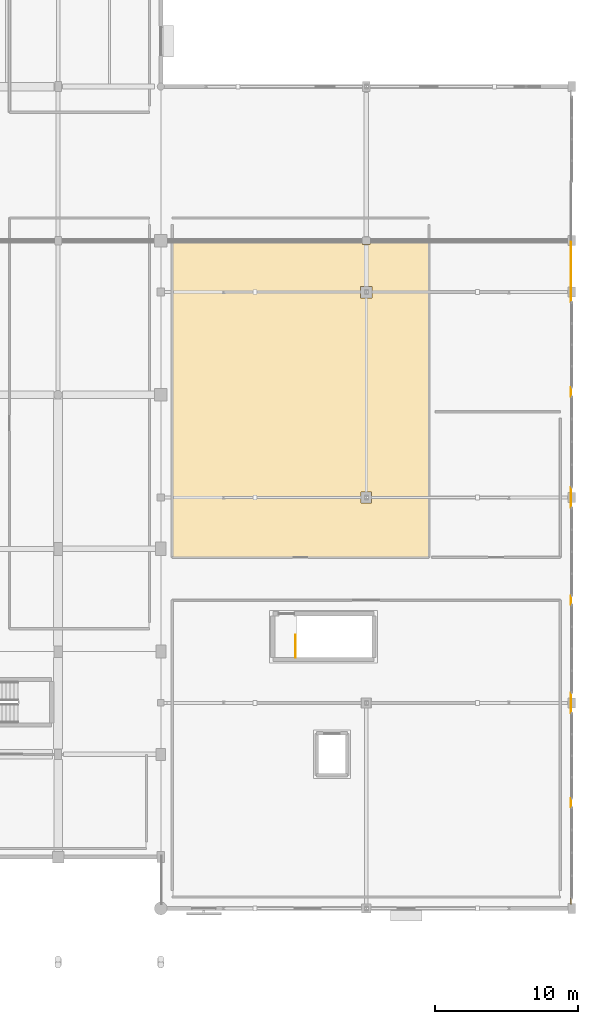
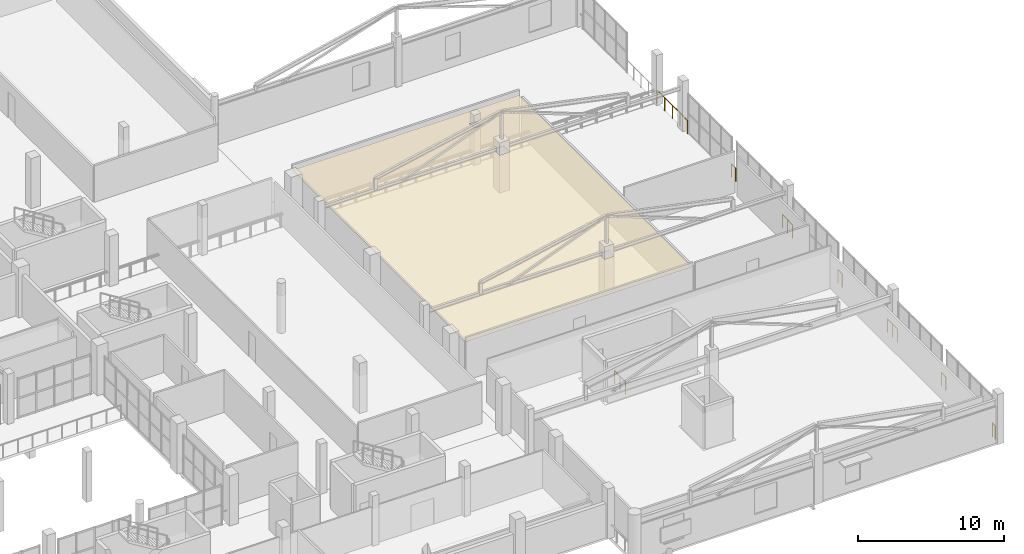
# One storey, part 90 of 92: 8 railings, 1 covering.
"""IFC4 building model written with IfcOpenShell, lengths in metres."""

import ifcopenshell
import ifcopenshell.guid

model = None  # the IFC model being written
_history = None  # IfcOwnerHistory: only IFC2X3 demands one
_inside = {}  # id of a spatial element -> (the spatial element, [elements in it])
_under = {}  # id of a project, library or spatial element -> (it, [spatial elements below it])
_declared = {}  # id of a project -> (the project, [libraries it declares])
_typed = {}  # id of a type object -> (the type object, [elements of that type])
_made_of = {}  # id of a material, layer set ... -> (it, [elements and type objects made of it])


def new_model(schema):
    """Start an empty IFC model of exactly this schema.

    Asked for "IFC4X3", IfcOpenShell would pick the latest addendum, in which some entities
    have other attributes; the version numbers below select the first issue.
    IFC2X3 requires an IfcOwnerHistory on every rooted entity: one is made here for all.
    """
    global model, _history
    if schema == "IFC4X3":
        model = ifcopenshell.file(schema_version=(4, 3, 0, 0))
    else:
        model = ifcopenshell.file(schema=schema)
    _inside.clear()
    _under.clear()
    _declared.clear()
    _typed.clear()
    _made_of.clear()
    _history = None
    if model.schema == "IFC2X3":
        org = make("IfcOrganization", Name="unknown")
        user = make(
            "IfcPersonAndOrganization",
            ThePerson=make("IfcPerson", FamilyName="unknown"),
            TheOrganization=org,
        )
        app = make(
            "IfcApplication",
            ApplicationDeveloper=org,
            Version="unknown",
            ApplicationFullName="unknown",
            ApplicationIdentifier="unknown",
        )
        _history = make(
            "IfcOwnerHistory",
            OwningUser=user,
            OwningApplication=app,
            ChangeAction="ADDED",
            CreationDate=0,
        )
    return model


def make(cls, **values):
    """One entity of the class cls with the attributes given. An attribute that is None is left unset."""
    return model.create_entity(
        cls, **{name: value for name, value in values.items() if value is not None}
    )


def rooted(cls, **values):
    """An entity with a GlobalId (a new one), such as an element, a storey or a relation."""
    return make(cls, GlobalId=ifcopenshell.guid.new(), OwnerHistory=_history, **values)


def si_unit(unit_type, name, prefix=None):
    """IfcSIUnit, for example si_unit("LENGTHUNIT", "METRE", prefix="MILLI")."""
    return make("IfcSIUnit", UnitType=unit_type, Prefix=prefix, Name=name)


def assignment(units):
    """IfcUnitAssignment: the units of a project."""
    return None if units is None else make("IfcUnitAssignment", Units=units)


def point(xyz):
    """IfcCartesianPoint."""
    return None if xyz is None else make("IfcCartesianPoint", Coordinates=xyz)


def direction(xyz):
    """IfcDirection."""
    return None if xyz is None else make("IfcDirection", DirectionRatios=xyz)


def frame(location, z_axis=None, x_axis=None):
    """IfcAxis2Placement3D, a coordinate frame: its origin and axes. An axis left out is left unset."""
    return make(
        "IfcAxis2Placement3D",
        Location=point(location),
        Axis=direction(z_axis),
        RefDirection=direction(x_axis),
    )


def frame_2d(location, x_axis=None):
    """IfcAxis2Placement2D, a coordinate frame in the plane: its origin and x axis."""
    return make(
        "IfcAxis2Placement2D", Location=point(location), RefDirection=direction(x_axis)
    )


def origin():
    """The frame at (0, 0, 0) with its axes left unset."""
    return frame((0.0, 0.0, 0.0))


def origin_2d():
    """The frame at (0, 0) in the plane with its x axis left unset."""
    return frame_2d((0.0, 0.0))


def place(relative_to, where):
    """IfcLocalPlacement: puts the frame where relative to a parent placement (None: the world)."""
    return make(
        "IfcLocalPlacement", PlacementRelTo=relative_to, RelativePlacement=where
    )


def context(
    kind, dimensions, precision=None, world=None, true_north=None, identifier=None
):
    """IfcGeometricRepresentationContext, for example the 3D "Model" context."""
    return make(
        "IfcGeometricRepresentationContext",
        ContextIdentifier=identifier,
        ContextType=kind,
        CoordinateSpaceDimension=dimensions,
        Precision=precision,
        WorldCoordinateSystem=world,
        TrueNorth=true_north,
    )


def subcontext(parent, identifier, kind, view, scale=None):
    """IfcGeometricRepresentationSubContext, for example "Body" below "Model"."""
    return make(
        "IfcGeometricRepresentationSubContext",
        ContextIdentifier=identifier,
        ContextType=kind,
        ParentContext=parent,
        TargetScale=scale,
        TargetView=view,
    )


def project(units=None, contexts=None):
    """IfcProject with its units and contexts."""
    return rooted(
        "IfcProject",
        Name="project",
        RepresentationContexts=contexts,
        UnitsInContext=assignment(units),
    )


def spatial(cls, under=None, at=None, **own):
    """A site, building, storey or space (cls), placed at a placement, below another one or the project."""
    s = rooted(cls, ObjectPlacement=at, **own)
    if under is not None:
        _under.setdefault(under.id(), (under, []))[1].append(s)
    return s


def polyline(points):
    """IfcPolyline through the points."""
    return make("IfcPolyline", Points=[point(p) for p in points])


def profile(cls, at=None, kind="AREA", **sizes):
    """A parametric profile (cls). Its sizes go by their IFC names, for example OverallWidth=200.0."""
    return make(cls, ProfileType=kind, Position=at, **sizes)


def circle(**sizes):
    """IfcCircleProfileDef."""
    return profile("IfcCircleProfileDef", **sizes)


def outline(outer, holes=None, kind="AREA"):
    """IfcArbitraryClosedProfileDef: a profile drawn as a closed curve; with holes, ...WithVoids."""
    if holes is None:
        return make("IfcArbitraryClosedProfileDef", ProfileType=kind, OuterCurve=outer)
    return make(
        "IfcArbitraryProfileDefWithVoids",
        ProfileType=kind,
        OuterCurve=outer,
        InnerCurves=holes,
    )


def extrude(swept, where, along, depth):
    """IfcExtrudedAreaSolid: the profile swept, set in the frame where, extruded along a direction by depth."""
    return make(
        "IfcExtrudedAreaSolid",
        SweptArea=swept,
        Position=where,
        ExtrudedDirection=direction(along),
        Depth=depth,
    )


def shape(context_of_items, identifier, shape_type, items):
    """IfcShapeRepresentation: the items that make up one representation, for example the "Body"."""
    return make(
        "IfcShapeRepresentation",
        ContextOfItems=context_of_items,
        RepresentationIdentifier=identifier,
        RepresentationType=shape_type,
        Items=items,
    )


def material(Name=None, Category=None):
    """IfcMaterial."""
    return make("IfcMaterial", Name=Name, Category=Category)


def layer(
    of_material, thickness, ventilated=None, Name=None, Category=None, Priority=None
):
    """IfcMaterialLayer: one layer of a wall or slab, of a material (None: an air gap)."""
    return make(
        "IfcMaterialLayer",
        Material=of_material,
        LayerThickness=thickness,
        IsVentilated=ventilated,
        Name=Name,
        Category=Category,
        Priority=Priority,
    )


def layer_set(layers, Name=None):
    """IfcMaterialLayerSet."""
    return make("IfcMaterialLayerSet", MaterialLayers=layers, LayerSetName=Name)


def made_of(thing, what):
    """Note that an element or type object is made of a material, layer set ...; save() writes the relation."""
    if what is not None:
        _made_of.setdefault(what.id(), (what, []))[1].append(thing)
    return thing


def type_object(cls, material=None, **own):
    """A type object (cls), such as IfcWallType, which elements share."""
    return made_of(rooted(cls, **own), material)


def element(
    cls,
    number,
    at=None,
    inside=None,
    cuts=None,
    type_object=None,
    material=None,
    context=None,
    identifier="Body",
    shape_type=None,
    held_by="IfcProductDefinitionShape",
    body=None,
    shapes=None,
    **own,
):
    """One element of the class cls, such as IfcWall. Its Tag is "e" and its number.

    at: its placement. inside: the storey or other place that contains it. cuts: it is an
    opening in that element (IfcRelVoidsElement). A single representation is given by context,
    identifier, shape_type and body (its items); several are given by shapes. held_by: the class
    of the entity that holds the representations. save() writes the other relations.
    """
    e = rooted(cls, Tag="e%d" % number, ObjectPlacement=at, **own)
    if body is not None:
        shapes = [shape(context, identifier, shape_type, body)]
    if shapes is not None:
        e.Representation = make(held_by, Representations=shapes)
    if inside is not None:
        _inside.setdefault(inside.id(), (inside, []))[1].append(e)
    if cuts is not None:
        rooted(
            "IfcRelVoidsElement", RelatingBuildingElement=cuts, RelatedOpeningElement=e
        )
    if type_object is not None:
        _typed.setdefault(type_object.id(), (type_object, []))[1].append(e)
    return made_of(e, material)


def aggregate(whole, parts):
    """IfcRelAggregates: a whole, such as a stair, and the parts it consists of."""
    return rooted("IfcRelAggregates", RelatingObject=whole, RelatedObjects=parts)


def save(model, path):
    """Write the relations noted so far, then the file.

    IfcRelAggregates (storeys below a building ...), IfcRelContainedInSpatialStructure (elements
    in a storey), IfcRelDefinesByType, IfcRelAssociatesMaterial and IfcRelDeclares: one each for
    every whole, place, type object, material and project.
    """
    for whole, parts in _under.values():
        aggregate(whole, parts)
    for where, things in _inside.values():
        rooted(
            "IfcRelContainedInSpatialStructure",
            RelatedElements=things,
            RelatingStructure=where,
        )
    for kind, things in _typed.values():
        rooted("IfcRelDefinesByType", RelatedObjects=things, RelatingType=kind)
    for what, things in _made_of.values():
        rooted("IfcRelAssociatesMaterial", RelatedObjects=things, RelatingMaterial=what)
    for by, libraries in _declared.values():
        rooted("IfcRelDeclares", RelatingContext=by, RelatedDefinitions=libraries)
    model.write(path)


model = new_model("IFC4")

# Units and contexts
model_context = context("Model", 3, precision=1e-05, world=origin(), true_north=direction((0.0, 1.0)))
body_context = subcontext(model_context, "Body", "Model", "MODEL_VIEW")
ifc_project = project(units=[si_unit("LENGTHUNIT", "METRE"), si_unit("AREAUNIT", "SQUARE_METRE"), si_unit("VOLUMEUNIT", "CUBIC_METRE"), si_unit("PLANEANGLEUNIT", "RADIAN"), si_unit("MASSUNIT", "GRAM", prefix="KILO")], contexts=[model_context])

# Site, building, storey
site_placement = place(None, origin())
site = spatial("IfcSite", under=ifc_project, at=site_placement, CompositionType="ELEMENT")
building_placement = place(site_placement, origin())
building = spatial("IfcBuilding", under=site, at=building_placement, Name="Solanera Park Tramway Depot", CompositionType="ELEMENT")
storey_placement = place(building_placement, frame((0.0, 0.0, 4.800048828125)))
storey = spatial("IfcBuildingStorey", under=building, at=storey_placement, Name="L01", CompositionType="ELEMENT", Elevation=4.800048828125)

# Covering
ifc_material_1 = material(Name="Acoustic perforated plasterboard and mineral-fibre ceiling")
ifc_layer_1 = layer(ifc_material_1, 0.02001953125)
ifc_layer_set_1 = layer_set([ifc_layer_1], Name="Acoustic perforated plasterboard and mineral-fibre ceiling")
covering_type = type_object("IfcCoveringType", Name="Acoustic Mineral-Fibre Ceiling 20", PredefinedType="CEILING", material=ifc_layer_set_1)
covering_placement = place(storey_placement, frame((0.0, 0.0, 3.14990234375)))
element("IfcCovering", 1, at=covering_placement, inside=storey, type_object=covering_type, Name="Tropical Transit Archive Reading Room Acoustic Ceiling", PredefinedType="CEILING", context=body_context, shape_type="SweptSolid", body=[
    extrude(outline(polyline([(205.9599609375, 55.56005859375), (205.9599609375, 31.840087890625), (188.0400390625, 31.840087890625), (188.0400390625, 55.56005859375), (205.9599609375, 55.56005859375)]), holes=[polyline([(201.221923828125, 36.3779296875), (201.221923828125, 35.6220703125), (201.97802734375, 35.6220703125), (201.97802734375, 36.3779296875), (201.221923828125, 36.3779296875)]), polyline([(202.0029296875, 50.802978515625), (201.197021484375, 50.802978515625), (201.197021484375, 49.9970703125), (202.0029296875, 49.9970703125), (202.0029296875, 50.802978515625)]), polyline([(201.8779296875, 53.721923828125), (201.8779296875, 54.278076171875), (201.322021484375, 54.278076171875), (201.322021484375, 53.721923828125), (201.8779296875, 53.721923828125)])]), origin(), (0.0, 0.0, 1.0), 0.02001953125),
])

# Railings
ifc_material_2 = material(Name="Powder-coated galvanised steel balustrade", Category="steel")
ifc_layer_2 = layer(ifc_material_2, 0.06005859375)
ifc_layer_set_2 = layer_set([ifc_layer_2], Name="Powder-coated galvanised steel balustrade")
railing_type_1 = type_object("IfcRailingType", Name="Classical Wrought-Style Balustrade 1120", PredefinedType="BALUSTRADE", material=ifc_layer_set_2)
railing_1_placement = place(storey_placement, frame((215.93994140625, 53.889892578125, 0.0)))
element("IfcRailing", 2, at=railing_1_placement, inside=storey, type_object=railing_type_1, Name="L01 Perimeter Deck Balustrade #016", PredefinedType="BALUSTRADE", context=body_context, shape_type="SweptSolid", body=[
    extrude(circle(Radius=0.02392578125, at=origin_2d()), frame((0.0, 0.0, 1.09619140625), z_axis=(0.0, -1.0, 0.0), x_axis=(1.0, 0.0, 0.0)), (0.0, 0.0, 1.0), 4.18994140625),
    extrude(circle(Radius=0.02099609375, at=origin_2d()), origin(), (0.0, 0.0, 1.0), 1.072021484375),
    extrude(circle(Radius=0.02099609375, at=origin_2d()), frame((0.0, -1.04736328125, 0.0)), (0.0, 0.0, 1.0), 1.072021484375),
    extrude(circle(Radius=0.02099609375, at=origin_2d()), frame((0.0, -2.094970703125, 0.0)), (0.0, 0.0, 1.0), 1.072021484375),
    extrude(circle(Radius=0.02099609375, at=origin_2d()), frame((0.0, -3.142578125, 0.0)), (0.0, 0.0, 1.0), 1.072021484375),
    extrude(circle(Radius=0.02099609375, at=origin_2d()), frame((0.0, -4.18994140625, 0.0)), (0.0, 0.0, 1.0), 1.072021484375),
])
railing_2_placement = place(storey_placement, frame((215.93994140625, 43.699951171875, 0.0)))
element("IfcRailing", 3, at=railing_2_placement, inside=storey, type_object=railing_type_1, Name="L01 Perimeter Deck Balustrade #017", PredefinedType="BALUSTRADE", context=body_context, shape_type="SweptSolid", body=[
    extrude(circle(Radius=0.02392578125, at=origin_2d()), frame((0.0, 0.0, 1.09619140625), z_axis=(0.0, -1.0, 0.0), x_axis=(1.0, 0.0, 0.0)), (0.0, 0.0, 1.0), 0.599853515625),
    extrude(circle(Radius=0.02099609375, at=origin_2d()), origin(), (0.0, 0.0, 1.0), 1.072021484375),
    extrude(circle(Radius=0.02099609375, at=origin_2d()), frame((0.0, -0.599853515625, 0.0)), (0.0, 0.0, 1.0), 1.072021484375),
])
railing_3_placement = place(storey_placement, frame((215.93994140625, 36.699951171875, 0.0)))
element("IfcRailing", 4, at=railing_3_placement, inside=storey, type_object=railing_type_1, Name="L01 Perimeter Deck Balustrade #018", PredefinedType="BALUSTRADE", context=body_context, shape_type="SweptSolid", body=[
    extrude(circle(Radius=0.02392578125, at=origin_2d()), frame((0.0, 0.0, 1.09619140625), z_axis=(0.0, -1.0, 0.0), x_axis=(1.0, 0.0, 0.0)), (0.0, 0.0, 1.0), 1.39990234375),
    extrude(circle(Radius=0.02099609375, at=origin_2d()), origin(), (0.0, 0.0, 1.0), 1.072021484375),
    extrude(circle(Radius=0.02099609375, at=origin_2d()), frame((0.0, -0.699951171875, 0.0)), (0.0, 0.0, 1.0), 1.072021484375),
    extrude(circle(Radius=0.02099609375, at=origin_2d()), frame((0.0, -1.39990234375, 0.0)), (0.0, 0.0, 1.0), 1.072021484375),
])
railing_4_placement = place(storey_placement, frame((215.93994140625, 29.10009765625, 0.0)))
element("IfcRailing", 5, at=railing_4_placement, inside=storey, type_object=railing_type_1, Name="L01 Perimeter Deck Balustrade #019", PredefinedType="BALUSTRADE", context=body_context, shape_type="SweptSolid", body=[
    extrude(circle(Radius=0.02392578125, at=origin_2d()), frame((0.0, 0.0, 1.09619140625), z_axis=(0.0, -1.0, 0.0), x_axis=(1.0, 0.0, 0.0)), (0.0, 0.0, 1.0), 0.60009765625),
    extrude(circle(Radius=0.02099609375, at=origin_2d()), origin(), (0.0, 0.0, 1.0), 1.072021484375),
    extrude(circle(Radius=0.02099609375, at=origin_2d()), frame((0.0, -0.60009765625, 0.0)), (0.0, 0.0, 1.0), 1.072021484375),
])
railing_5_placement = place(storey_placement, frame((215.93994140625, 22.300048828125, 0.0)))
element("IfcRailing", 6, at=railing_5_placement, inside=storey, type_object=railing_type_1, Name="L01 Perimeter Deck Balustrade #020", PredefinedType="BALUSTRADE", context=body_context, shape_type="SweptSolid", body=[
    extrude(circle(Radius=0.02392578125, at=origin_2d()), frame((0.0, 0.0, 1.09619140625), z_axis=(0.0, -1.0, 0.0), x_axis=(1.0, 0.0, 0.0)), (0.0, 0.0, 1.0), 1.400146484375),
    extrude(circle(Radius=0.02099609375, at=origin_2d()), origin(), (0.0, 0.0, 1.0), 1.072021484375),
    extrude(circle(Radius=0.02099609375, at=origin_2d()), frame((0.0, -0.7001953125, 0.0)), (0.0, 0.0, 1.0), 1.072021484375),
    extrude(circle(Radius=0.02099609375, at=origin_2d()), frame((0.0, -1.400146484375, 0.0)), (0.0, 0.0, 1.0), 1.072021484375),
])
railing_6_placement = place(storey_placement, frame((215.93994140625, 14.89990234375, 0.0)))
element("IfcRailing", 7, at=railing_6_placement, inside=storey, type_object=railing_type_1, Name="L01 Perimeter Deck Balustrade #021", PredefinedType="BALUSTRADE", context=body_context, shape_type="SweptSolid", body=[
    extrude(circle(Radius=0.02392578125, at=origin_2d()), frame((0.0, 0.0, 1.09619140625), z_axis=(0.0, -1.0, 0.0), x_axis=(1.0, 0.0, 0.0)), (0.0, 0.0, 1.0), 0.599853515625),
    extrude(circle(Radius=0.02099609375, at=origin_2d()), origin(), (0.0, 0.0, 1.0), 1.072021484375),
    extrude(circle(Radius=0.02099609375, at=origin_2d()), frame((0.0, -0.599853515625, 0.0)), (0.0, 0.0, 1.0), 1.072021484375),
])
railing_7_placement = place(storey_placement, frame((215.93994140625, 7.89990234375, 0.0)))
element("IfcRailing", 8, at=railing_7_placement, inside=storey, type_object=railing_type_1, Name="L01 Perimeter Deck Balustrade #022", PredefinedType="BALUSTRADE", context=body_context, shape_type="SweptSolid", body=[
    extrude(circle(Radius=0.02392578125, at=origin_2d()), frame((0.0, 0.0, 1.09619140625), z_axis=(0.0, -1.0, 0.0), x_axis=(1.0, 0.0, 0.0)), (0.0, 0.0, 1.0), 0.3798828125),
    extrude(circle(Radius=0.02099609375, at=origin_2d()), origin(), (0.0, 0.0, 1.0), 1.072021484375),
    extrude(circle(Radius=0.02099609375, at=origin_2d()), frame((0.0, -0.3798828125, 0.0)), (0.0, 0.0, 1.0), 1.072021484375),
])
ifc_material_3 = material(Name="Steel AS/NZS 1163 Grade C350L0", Category="steel")
ifc_layer_3 = layer(ifc_material_3, 0.06005859375)
ifc_layer_set_3 = layer_set([ifc_layer_3], Name="Steel AS/NZS 1163 Grade C350L0")
railing_type_2 = type_object("IfcRailingType", Name="Stairwell Guardrail 1100", PredefinedType="GUARDRAIL", material=ifc_layer_set_3)
railing_8_placement = place(storey_placement, frame((196.64990234375, 24.800048828125, 0.0)))
element("IfcRailing", 9, at=railing_8_placement, inside=storey, type_object=railing_type_2, Name="ST-10 Top Landing Guard 1", PredefinedType="GUARDRAIL", context=body_context, shape_type="SweptSolid", body=[
    extrude(circle(Radius=0.02392578125, at=origin_2d()), frame((0.0, 0.0, 1.076171875), z_axis=(0.0, 1.0, 0.0), x_axis=(-1.0, 0.0, 0.0)), (0.0, 0.0, 1.0), 1.550048828125),
    extrude(circle(Radius=0.02099609375, at=origin_2d()), origin(), (0.0, 0.0, 1.0), 1.052001953125),
    extrude(circle(Radius=0.02099609375, at=origin_2d()), frame((0.0, 0.77490234375, 0.0)), (0.0, 0.0, 1.0), 1.052001953125),
    extrude(circle(Radius=0.02099609375, at=origin_2d()), frame((0.0, 1.550048828125, 0.0)), (0.0, 0.0, 1.0), 1.052001953125),
])

save(model, "model.ifc")
